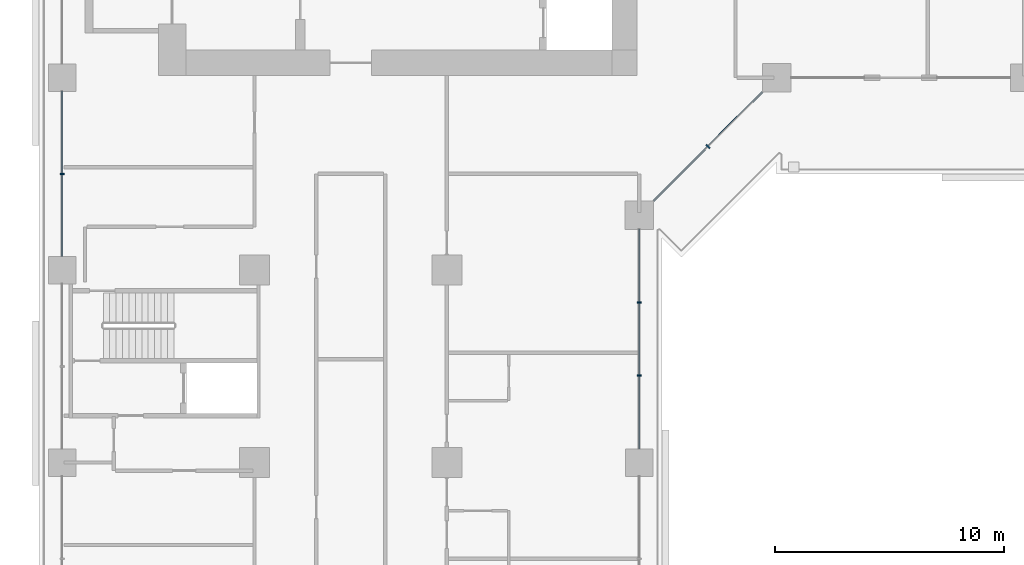
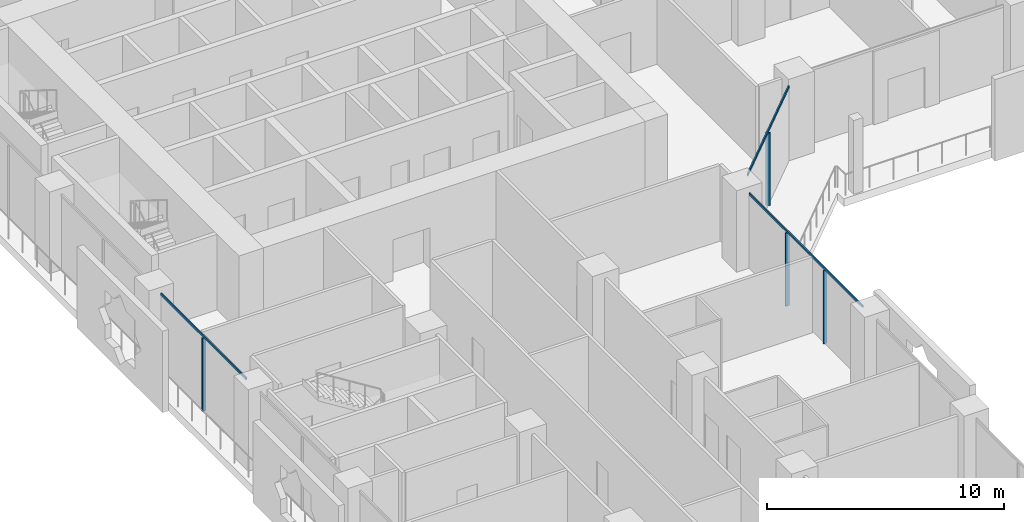
# One storey, part 4 of 26: 7 members, 3 elements without a shape of their own.
"""IFC4 building model written with IfcOpenShell, lengths in metres."""

from ifc_helpers import new_model, si_unit, direction, frame, origin, origin_2d, place, context, subcontext, project, spatial, rectangle, extrude, material, layer, layer_set, material_profile, profile_set, type_object, element, aggregate, save


model = new_model("IFC4")

# Units and contexts
model_context = context("Model", 3, precision=1e-05, world=origin(), true_north=direction((0.0, 1.0)))
body_context = subcontext(model_context, "Body", "Model", "MODEL_VIEW")
ifc_project = project(units=[si_unit("LENGTHUNIT", "METRE"), si_unit("AREAUNIT", "SQUARE_METRE"), si_unit("VOLUMEUNIT", "CUBIC_METRE"), si_unit("PLANEANGLEUNIT", "RADIAN"), si_unit("MASSUNIT", "GRAM", prefix="KILO")], contexts=[model_context])

# Site, building, storey
site_placement = place(None, origin())
site = spatial("IfcSite", under=ifc_project, at=site_placement, CompositionType="ELEMENT")
building_placement = place(site_placement, origin())
building = spatial("IfcBuilding", under=site, at=building_placement, Name="Kawkab Arch Medical Tower", CompositionType="ELEMENT")
storey_placement = place(building_placement, frame((0.0, 0.0, 51.800048828125)))
storey = spatial("IfcBuildingStorey", under=building, at=storey_placement, Name="L11", CompositionType="ELEMENT", Elevation=51.800048828125)

# Curtain wall, member
ifc_material_1 = material(Name="Bronze anodised aluminium curtain wall frame", Category="aluminium")
ifc_layer_1 = layer(ifc_material_1, 0.159912109375)
ifc_layer_set_1 = layer_set([ifc_layer_1], Name="Bronze anodised aluminium curtain wall frame")
curtain_wall_type_1 = type_object("IfcCurtainWallType", Name="CW1 ward curtain wall", PredefinedType="NOTDEFINED", material=ifc_layer_set_1)
placement = place(storey_placement, origin())
curtain_wall_1 = element("IfcCurtainWall", 1, at=placement, inside=storey, type_object=curtain_wall_type_1, Name="CW1 Ward curtain wall R01", PredefinedType="NOTDEFINED")
ifc_material_2 = material(Name="Bronze anodised aluminium curtain wall frame", Category="aluminium")
ifc_material_profile_1 = material_profile(ifc_material_2, rectangle(XDim=0.179931640625, YDim=0.06005859375, at=origin_2d()), Name="AL 60x180")
ifc_profile_set_1 = profile_set([ifc_material_profile_1], Name="Bronze anodised aluminium curtain wall frame")
member_type_1 = type_object("IfcMemberType", Name="CW1 mullion 60 x 180", PredefinedType="MULLION", material=ifc_profile_set_1)
member_1_placement = place(storey_placement, frame((0.0, -29.39990234375, 0.0), z_axis=(0.0, 0.0, 1.0), x_axis=(1.0, 0.0, 0.0)))
member_1 = element("IfcMember", 2, at=member_1_placement, type_object=member_type_1, Name="CW1 mullion 3.1", PredefinedType="MULLION", context=body_context, shape_type="SweptSolid", body=[
    extrude(rectangle(XDim=0.179931640625, YDim=0.06005859375, at=origin_2d()), origin(), (0.0, 0.0, 1.0), 3.780029296875),
])

# Curtain wall, members
curtain_wall_2 = element("IfcCurtainWall", 3, at=placement, inside=storey, type_object=curtain_wall_type_1, Name="CW1 Ward curtain wall R05", PredefinedType="NOTDEFINED")
member_2_placement = place(storey_placement, frame((25.199951171875, -38.208251953125, 0.0), z_axis=(0.0, 0.0, 1.0), x_axis=(-1.0, 0.0, 0.0)))
member_2 = element("IfcMember", 4, at=member_2_placement, type_object=member_type_1, Name="CW1 mullion 4.1", PredefinedType="MULLION", context=body_context, shape_type="SweptSolid", body=[
    extrude(rectangle(XDim=0.179931640625, YDim=0.06005859375, at=origin_2d()), origin(), (0.0, 0.0, 1.0), 3.780029296875),
])
member_3_placement = place(storey_placement, frame((25.199951171875, -35.0166015625, 0.0), z_axis=(0.0, 0.0, 1.0), x_axis=(-1.0, 0.0, 0.0)))
member_3 = element("IfcMember", 5, at=member_3_placement, type_object=member_type_1, Name="CW1 mullion 4.2", PredefinedType="MULLION", context=body_context, shape_type="SweptSolid", body=[
    extrude(rectangle(XDim=0.179931640625, YDim=0.06005859375, at=origin_2d()), origin(), (0.0, 0.0, 1.0), 3.780029296875),
])

# Member
ifc_material_3 = material(Name="Bronze anodised aluminium curtain wall frame", Category="aluminium")
ifc_material_profile_2 = material_profile(ifc_material_3, rectangle(XDim=0.06005859375, YDim=0.1201171875, at=origin_2d()), Name="AL 60x120")
ifc_profile_set_2 = profile_set([ifc_material_profile_2], Name="Bronze anodised aluminium curtain wall frame")
member_type_2 = type_object("IfcMemberType", Name="CW1 transom 120 x 60", PredefinedType="USERDEFINED", material=ifc_profile_set_2)
member_4_placement = place(storey_placement, frame((0.0, -25.800048828125, 3.83984375), z_axis=(0.0, -1.0, 0.0), x_axis=(1.0, 0.0, 0.0)))
member_4 = element("IfcMember", 6, at=member_4_placement, type_object=member_type_2, Name="CW1 transom 3", ObjectType="TRANSOM", PredefinedType="USERDEFINED", context=body_context, shape_type="SweptSolid", body=[
    extrude(rectangle(XDim=0.06005859375, YDim=0.1201171875, at=origin_2d()), origin(), (0.0, 0.0, 1.0), 7.199951171875),
])

aggregate(curtain_wall_1, [member_4, member_1])

member_5_placement = place(storey_placement, frame((25.199951171875, -41.39990234375, 3.83984375), z_axis=(0.0, 1.0, 0.0), x_axis=(-1.0, 0.0, 0.0)))
member_5 = element("IfcMember", 7, at=member_5_placement, type_object=member_type_2, Name="CW1 transom 4", ObjectType="TRANSOM", PredefinedType="USERDEFINED", context=body_context, shape_type="SweptSolid", body=[
    extrude(rectangle(XDim=0.06005859375, YDim=0.1201171875, at=origin_2d()), origin(), (0.0, 0.0, 1.0), 9.574951171875),
])

aggregate(curtain_wall_2, [member_5, member_2, member_3])

# Curtain wall, members
ifc_material_4 = material(Name="Bronze anodised aluminium curtain wall frame", Category="aluminium")
ifc_layer_2 = layer(ifc_material_4, 0.159912109375)
ifc_layer_set_2 = layer_set([ifc_layer_2], Name="Bronze anodised aluminium curtain wall frame")
curtain_wall_type_2 = type_object("IfcCurtainWallType", Name="CW2 chamfer curtain wall", PredefinedType="NOTDEFINED", material=ifc_layer_set_2)
curtain_wall_3 = element("IfcCurtainWall", 8, at=placement, inside=storey, type_object=curtain_wall_type_2, Name="CW2 Chamfer curtain wall R06", PredefinedType="NOTDEFINED")
ifc_material_5 = material(Name="Bronze anodised aluminium curtain wall frame", Category="aluminium")
ifc_material_profile_3 = material_profile(ifc_material_5, rectangle(XDim=0.199951171875, YDim=0.06005859375, at=origin_2d()), Name="AL 60x200")
ifc_profile_set_3 = profile_set([ifc_material_profile_3], Name="Bronze anodised aluminium curtain wall frame")
member_type_3 = type_object("IfcMemberType", Name="CW2 mullion 60 x 200", PredefinedType="MULLION", material=ifc_profile_set_3)
member_6_placement = place(storey_placement, frame((28.199951171875, -28.199951171875, 0.0), z_axis=(0.0, 0.0, 1.0), x_axis=(-0.707106781187, 0.707106781187, 0.0)))
member_6 = element("IfcMember", 9, at=member_6_placement, type_object=member_type_3, Name="CW2 mullion 1.1", PredefinedType="MULLION", context=body_context, shape_type="SweptSolid", body=[
    extrude(rectangle(XDim=0.199951171875, YDim=0.06005859375, at=origin_2d()), origin(), (0.0, 0.0, 1.0), 3.760009765625),
])
ifc_material_6 = material(Name="Bronze anodised aluminium curtain wall frame", Category="aluminium")
ifc_material_profile_4 = material_profile(ifc_material_6, rectangle(XDim=0.06005859375, YDim=0.139892578125, at=origin_2d()), Name="AL 60x140")
ifc_profile_set_4 = profile_set([ifc_material_profile_4], Name="Bronze anodised aluminium curtain wall frame")
member_type_4 = type_object("IfcMemberType", Name="CW2 transom 140 x 60", PredefinedType="USERDEFINED", material=ifc_profile_set_4)
member_7_placement = place(storey_placement, frame((25.824951171875, -30.574951171875, 3.829833984375), z_axis=(0.707106781187, 0.707106781187, 0.0), x_axis=(-0.707106781187, 0.707106781187, 0.0)))
member_7 = element("IfcMember", 10, at=member_7_placement, type_object=member_type_4, Name="CW2 transom 1", ObjectType="TRANSOM", PredefinedType="USERDEFINED", context=body_context, shape_type="SweptSolid", body=[
    extrude(rectangle(XDim=0.06005859375, YDim=0.139892578125, at=origin_2d()), origin(), (0.0, 0.0, 1.0), 6.717529296875),
])
aggregate(curtain_wall_3, [member_7, member_6])

save(model, "model.ifc")
